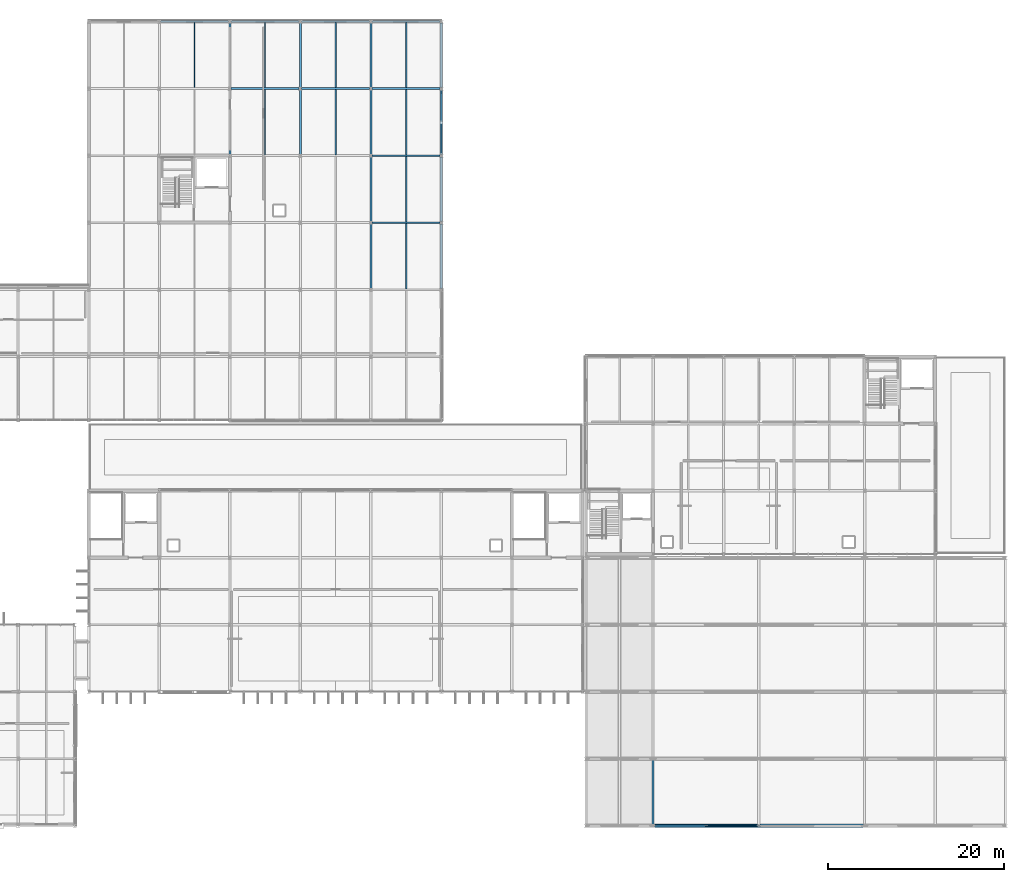
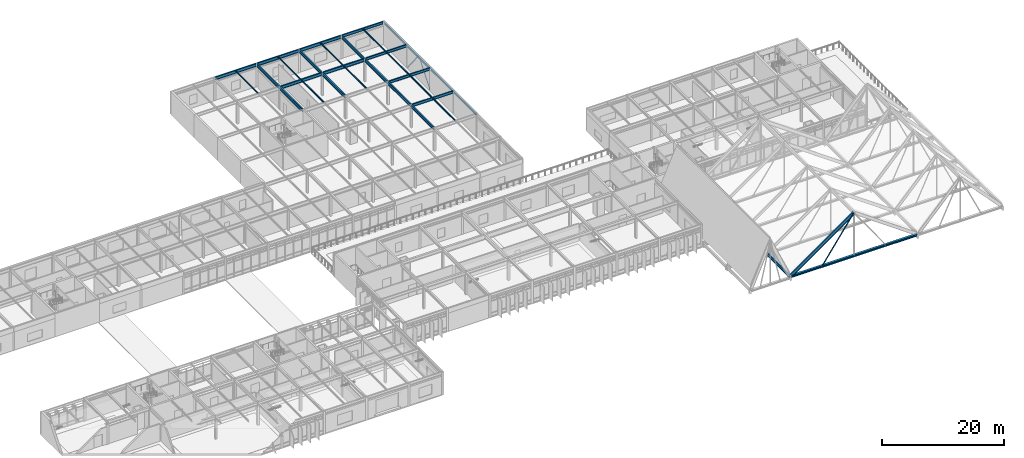
# One storey, part 51 of 100: 32 beams, 4 members.
"""IFC4 building model written with IfcOpenShell, lengths in metres."""

from ifc_helpers import new_model, si_unit, direction, frame, origin, origin_2d, place, context, subcontext, project, spatial, hollow_rectangle, hollow_circle, i_section, extrude, material, material_profile, profile_set, type_object, element, save


model = new_model("IFC4")

# Units and contexts
model_context = context("Model", 3, precision=1e-05, world=origin(), true_north=direction((0.0, 1.0)))
body_context = subcontext(model_context, "Body", "Model", "MODEL_VIEW")
ifc_project = project(units=[si_unit("LENGTHUNIT", "METRE"), si_unit("AREAUNIT", "SQUARE_METRE"), si_unit("VOLUMEUNIT", "CUBIC_METRE"), si_unit("PLANEANGLEUNIT", "RADIAN"), si_unit("MASSUNIT", "GRAM", prefix="KILO")], contexts=[model_context])

# Site, building, storey
site_placement = place(None, origin())
site = spatial("IfcSite", under=ifc_project, at=site_placement, CompositionType="ELEMENT")
building_placement = place(site_placement, origin())
building = spatial("IfcBuilding", under=site, at=building_placement, Name="Zulena Civic Courthouse", CompositionType="ELEMENT")
storey_placement = place(building_placement, frame((0.0, 0.0, 20.39990234375)))
storey = spatial("IfcBuildingStorey", under=building, at=storey_placement, Name="L04", CompositionType="ELEMENT", Elevation=20.39990234375)

# Members
ifc_material_1 = material(Name="Steel ASTM A500 Grade C", Category="steel")
ifc_material_profile_1 = material_profile(ifc_material_1, hollow_rectangle(XDim=0.10205078125, YDim=0.202880859375, WallThickness=0.0087890625, at=origin_2d()), Name="HSS8X4X3/8")
ifc_profile_set_1 = profile_set([ifc_material_profile_1], Name="Steel ASTM A500 Grade C")
member_type_1 = type_object("IfcMemberType", Name="Brace_HSS8X4", PredefinedType="BRACE", material=ifc_profile_set_1)
for number, where, z_axis, x_axis, name in (
    (1, (108.0, 76.14990234375, 0.010009765625), (0.0, 0.620488442429, 0.784215590774), (-1.0, 0.0, 0.0), "brace:V5:L04:6:0"),
    (2, (108.0, 83.449951171875, 0.010009765625), (0.0, -0.620462563433, 0.784236066104), (1.0, 0.0, 0.0), "brace:V5:L04:6:1"),
):
    element("IfcMember", number, at=place(storey_placement, frame(where, z_axis=z_axis, x_axis=x_axis)), inside=storey, type_object=member_type_1, Name=name, PredefinedType="BRACE", context=body_context, shape_type="SweptSolid", body=[
        extrude(hollow_rectangle(XDim=0.10205078125, YDim=0.202880859375, WallThickness=0.0087890625, at=origin_2d()), origin(), (0.0, 0.0, 1.0), 5.802001953125),
    ])
ifc_material_2 = material(Name="Steel ASTM A992 Grade 50", Category="steel")
ifc_material_profile_2 = material_profile(ifc_material_2, i_section(OverallWidth=0.40087890625, OverallDepth=0.39892578125, WebThickness=0.02490234375, FlangeThickness=0.03955078125, FilletRadius=0.01513671875, at=origin_2d()), Name="W14X211")
ifc_profile_set_2 = profile_set([ifc_material_profile_2], Name="Steel ASTM A992 Grade 50")
member_type_2 = type_object("IfcMemberType", Name="Chord_W14X211", PredefinedType="CHORD", material=ifc_profile_set_2)
member_1_placement = place(storey_placement, frame((132.139892578125, 0.0, 0.536376953125), z_axis=(1.0, 0.0, 0.0), x_axis=(0.0, 1.0, 0.0)))
element("IfcMember", 3, at=member_1_placement, inside=storey, type_object=member_type_2, Name="mem:fold:tie:06:0.0", PredefinedType="CHORD", context=body_context, shape_type="SweptSolid", body=[
    extrude(i_section(OverallWidth=0.40087890625, OverallDepth=0.39892578125, WebThickness=0.02490234375, FlangeThickness=0.03955078125, FilletRadius=0.01513671875, at=origin_2d()), origin(), (0.0, 0.0, 1.0), 23.72021484375),
])

# Beams
ifc_material_profile_3 = material_profile(ifc_material_2, i_section(OverallWidth=0.22802734375, OverallDepth=0.60693359375, WebThickness=0.01123046875, FlangeThickness=0.017333984375, FilletRadius=0.0126953125, at=origin_2d()), Name="W24X76")
ifc_profile_set_3 = profile_set([ifc_material_profile_3], Name="Steel ASTM A992 Grade 50")
beam_type_1 = type_object("IfcBeamType", Name="Girder_W24X76", PredefinedType="BEAM", material=ifc_profile_set_3)
beam_1_placement = place(storey_placement, frame((84.0, 76.14501953125, 4.29150390625), z_axis=(0.0, 1.0, 0.0), x_axis=(-1.0, 0.0, 0.0)))
element("IfcBeam", 4, at=beam_1_placement, inside=storey, type_object=beam_type_1, Name="beam:Y:V5:L04:84.0:76.0_83.6", PredefinedType="BEAM", context=body_context, shape_type="SweptSolid", body=[
    extrude(i_section(OverallWidth=0.22802734375, OverallDepth=0.60693359375, WebThickness=0.01123046875, FlangeThickness=0.017333984375, FilletRadius=0.0126953125, at=origin_2d()), origin(), (0.0, 0.0, 1.0), 7.31005859375),
])
beam_2_placement = place(storey_placement, frame((84.0, 83.7451171875, 4.29150390625), z_axis=(0.0, 1.0, 0.0), x_axis=(-1.0, 0.0, 0.0)))
element("IfcBeam", 5, at=beam_2_placement, inside=storey, type_object=beam_type_1, Name="beam:Y:V5:L04:84.0:83.6_91.2", PredefinedType="BEAM", context=body_context, shape_type="SweptSolid", body=[
    extrude(i_section(OverallWidth=0.22802734375, OverallDepth=0.60693359375, WebThickness=0.01123046875, FlangeThickness=0.017333984375, FilletRadius=0.0126953125, at=origin_2d()), origin(), (0.0, 0.0, 1.0), 7.309814453125),
])
beam_3_placement = place(storey_placement, frame((92.0, 76.14501953125, 4.29150390625), z_axis=(0.0, 1.0, 0.0), x_axis=(-1.0, 0.0, 0.0)))
element("IfcBeam", 6, at=beam_3_placement, inside=storey, type_object=beam_type_1, Name="beam:Y:V5:L04:92.0:76.0_83.6", PredefinedType="BEAM", context=body_context, shape_type="SweptSolid", body=[
    extrude(i_section(OverallWidth=0.22802734375, OverallDepth=0.60693359375, WebThickness=0.01123046875, FlangeThickness=0.017333984375, FilletRadius=0.0126953125, at=origin_2d()), origin(), (0.0, 0.0, 1.0), 7.31005859375),
])
for number, where, z_axis, x_axis, name in (
    (7, (92.0, 83.7451171875, 4.29150390625), (0.0, 1.0, 0.0), (-1.0, 0.0, 0.0), "beam:Y:V5:L04:92.0:83.6_91.2"),
    (8, (100.0, 60.945068359375, 4.29150390625), (0.0, 1.0, 0.0), (-1.0, 0.0, 0.0), "beam:Y:V5:L04:100.0:60.8_68.4"),
):
    element("IfcBeam", number, at=place(storey_placement, frame(where, z_axis=z_axis, x_axis=x_axis)), inside=storey, type_object=beam_type_1, Name=name, PredefinedType="BEAM", context=body_context, shape_type="SweptSolid", body=[
        extrude(i_section(OverallWidth=0.22802734375, OverallDepth=0.60693359375, WebThickness=0.01123046875, FlangeThickness=0.017333984375, FilletRadius=0.0126953125, at=origin_2d()), origin(), (0.0, 0.0, 1.0), 7.309814453125),
    ])
for number, where, z_axis, x_axis, name in (
    (9, (100.0, 68.544921875, 4.29150390625), (0.0, 1.0, 0.0), (-1.0, 0.0, 0.0), "beam:Y:V5:L04:100.0:68.4_76.0"),
    (10, (100.0, 76.14501953125, 4.29150390625), (0.0, 1.0, 0.0), (-1.0, 0.0, 0.0), "beam:Y:V5:L04:100.0:76.0_83.6"),
):
    element("IfcBeam", number, at=place(storey_placement, frame(where, z_axis=z_axis, x_axis=x_axis)), inside=storey, type_object=beam_type_1, Name=name, PredefinedType="BEAM", context=body_context, shape_type="SweptSolid", body=[
        extrude(i_section(OverallWidth=0.22802734375, OverallDepth=0.60693359375, WebThickness=0.01123046875, FlangeThickness=0.017333984375, FilletRadius=0.0126953125, at=origin_2d()), origin(), (0.0, 0.0, 1.0), 7.31005859375),
    ])
beam_4_placement = place(storey_placement, frame((100.0, 83.7451171875, 4.29150390625), z_axis=(0.0, 1.0, 0.0), x_axis=(-1.0, 0.0, 0.0)))
element("IfcBeam", 11, at=beam_4_placement, inside=storey, type_object=beam_type_1, Name="beam:Y:V5:L04:100.0:83.6_91.2", PredefinedType="BEAM", context=body_context, shape_type="SweptSolid", body=[
    extrude(i_section(OverallWidth=0.22802734375, OverallDepth=0.60693359375, WebThickness=0.01123046875, FlangeThickness=0.017333984375, FilletRadius=0.0126953125, at=origin_2d()), origin(), (0.0, 0.0, 1.0), 7.309814453125),
])
ifc_material_profile_4 = material_profile(ifc_material_2, i_section(OverallWidth=0.22998046875, OverallDepth=0.616943359375, WebThickness=0.01318359375, FlangeThickness=0.022216796875, FilletRadius=0.0126953125, at=origin_2d()), Name="W24X94")
ifc_profile_set_4 = profile_set([ifc_material_profile_4], Name="Steel ASTM A992 Grade 50")
beam_type_2 = type_object("IfcBeamType", Name="Girder_W24X94", PredefinedType="BEAM", material=ifc_profile_set_4)
for number, where, z_axis, x_axis, name in (
    (12, (84.14501953125, 83.60009765625, 4.28662109375), (1.0, 0.0, 0.0), (0.0, 1.0, 0.0), "beam:X:V5:L04:83.6:84.0_92.0"),
    (13, (92.14501953125, 83.60009765625, 4.28662109375), (1.0, 0.0, 0.0), (0.0, 1.0, 0.0), "beam:X:V5:L04:83.6:92.0_100.0"),
    (14, (76.14501953125, 91.199951171875, 4.28662109375), (1.0, 0.0, 0.0), (0.0, 1.0, 0.0), "beam:X:V5:L04:91.2:76.0_84.0"),
    (15, (84.14501953125, 91.199951171875, 4.28662109375), (1.0, 0.0, 0.0), (0.0, 1.0, 0.0), "beam:X:V5:L04:91.2:84.0_92.0"),
    (16, (92.14501953125, 91.199951171875, 4.28662109375), (1.0, 0.0, 0.0), (0.0, 1.0, 0.0), "beam:X:V5:L04:91.2:92.0_100.0"),
):
    element("IfcBeam", number, at=place(storey_placement, frame(where, z_axis=z_axis, x_axis=x_axis)), inside=storey, type_object=beam_type_2, Name=name, PredefinedType="BEAM", context=body_context, shape_type="SweptSolid", body=[
        extrude(i_section(OverallWidth=0.22998046875, OverallDepth=0.616943359375, WebThickness=0.01318359375, FlangeThickness=0.022216796875, FilletRadius=0.0126953125, at=origin_2d()), origin(), (0.0, 0.0, 1.0), 7.7099609375),
    ])
ifc_material_profile_5 = material_profile(ifc_material_2, i_section(OverallWidth=0.14599609375, OverallDepth=0.258056640625, WebThickness=0.006103515625, FlangeThickness=0.009033203125, FilletRadius=0.007568359375, at=origin_2d()), Name="W10X22")
ifc_profile_set_5 = profile_set([ifc_material_profile_5], Name="Steel ASTM A992 Grade 50")
beam_type_3 = type_object("IfcBeamType", Name="Joist_W10X22", PredefinedType="JOIST", material=ifc_profile_set_5)
beam_5_placement = place(storey_placement, frame((80.0, 83.705078125, 4.466064453125), z_axis=(0.0, 1.0, 0.0), x_axis=(-1.0, 0.0, 0.0)))
element("IfcBeam", 17, at=beam_5_placement, inside=storey, type_object=beam_type_3, Name="joist:V5:L04:80.00:83.6_91.2", PredefinedType="JOIST", context=body_context, shape_type="SweptSolid", body=[
    extrude(i_section(OverallWidth=0.14599609375, OverallDepth=0.258056640625, WebThickness=0.006103515625, FlangeThickness=0.009033203125, FilletRadius=0.007568359375, at=origin_2d()), origin(), (0.0, 0.0, 1.0), 7.389892578125),
])
beam_6_placement = place(storey_placement, frame((88.0, 76.10498046875, 4.466064453125), z_axis=(0.0, 1.0, 0.0), x_axis=(-1.0, 0.0, 0.0)))
element("IfcBeam", 18, at=beam_6_placement, inside=storey, type_object=beam_type_3, Name="joist:V5:L04:88.00:76.0_83.6", PredefinedType="JOIST", context=body_context, shape_type="SweptSolid", body=[
    extrude(i_section(OverallWidth=0.14599609375, OverallDepth=0.258056640625, WebThickness=0.006103515625, FlangeThickness=0.009033203125, FilletRadius=0.007568359375, at=origin_2d()), origin(), (0.0, 0.0, 1.0), 7.39013671875),
])
beam_7_placement = place(storey_placement, frame((88.0, 83.705078125, 4.466064453125), z_axis=(0.0, 1.0, 0.0), x_axis=(-1.0, 0.0, 0.0)))
element("IfcBeam", 19, at=beam_7_placement, inside=storey, type_object=beam_type_3, Name="joist:V5:L04:88.00:83.6_91.2", PredefinedType="JOIST", context=body_context, shape_type="SweptSolid", body=[
    extrude(i_section(OverallWidth=0.14599609375, OverallDepth=0.258056640625, WebThickness=0.006103515625, FlangeThickness=0.009033203125, FilletRadius=0.007568359375, at=origin_2d()), origin(), (0.0, 0.0, 1.0), 7.389892578125),
])
beam_8_placement = place(storey_placement, frame((96.0, 76.10498046875, 4.466064453125), z_axis=(0.0, 1.0, 0.0), x_axis=(-1.0, 0.0, 0.0)))
element("IfcBeam", 20, at=beam_8_placement, inside=storey, type_object=beam_type_3, Name="joist:V5:L04:96.00:76.0_83.6", PredefinedType="JOIST", context=body_context, shape_type="SweptSolid", body=[
    extrude(i_section(OverallWidth=0.14599609375, OverallDepth=0.258056640625, WebThickness=0.006103515625, FlangeThickness=0.009033203125, FilletRadius=0.007568359375, at=origin_2d()), origin(), (0.0, 0.0, 1.0), 7.39013671875),
])
for number, where, z_axis, x_axis, name in (
    (21, (96.0, 83.705078125, 4.466064453125), (0.0, 1.0, 0.0), (-1.0, 0.0, 0.0), "joist:V5:L04:96.00:83.6_91.2"),
    (22, (104.0, 60.905029296875, 4.466064453125), (0.0, 1.0, 0.0), (-1.0, 0.0, 0.0), "joist:V5:L04:104.00:60.8_68.4"),
):
    element("IfcBeam", number, at=place(storey_placement, frame(where, z_axis=z_axis, x_axis=x_axis)), inside=storey, type_object=beam_type_3, Name=name, PredefinedType="JOIST", context=body_context, shape_type="SweptSolid", body=[
        extrude(i_section(OverallWidth=0.14599609375, OverallDepth=0.258056640625, WebThickness=0.006103515625, FlangeThickness=0.009033203125, FilletRadius=0.007568359375, at=origin_2d()), origin(), (0.0, 0.0, 1.0), 7.389892578125),
    ])
for number, where, z_axis, x_axis, name in (
    (23, (104.0, 68.5048828125, 4.466064453125), (0.0, 1.0, 0.0), (-1.0, 0.0, 0.0), "joist:V5:L04:104.00:68.4_76.0"),
    (24, (104.0, 76.10498046875, 4.466064453125), (0.0, 1.0, 0.0), (-1.0, 0.0, 0.0), "joist:V5:L04:104.00:76.0_83.6"),
):
    element("IfcBeam", number, at=place(storey_placement, frame(where, z_axis=z_axis, x_axis=x_axis)), inside=storey, type_object=beam_type_3, Name=name, PredefinedType="JOIST", context=body_context, shape_type="SweptSolid", body=[
        extrude(i_section(OverallWidth=0.14599609375, OverallDepth=0.258056640625, WebThickness=0.006103515625, FlangeThickness=0.009033203125, FilletRadius=0.007568359375, at=origin_2d()), origin(), (0.0, 0.0, 1.0), 7.39013671875),
    ])
beam_9_placement = place(storey_placement, frame((104.0, 83.705078125, 4.466064453125), z_axis=(0.0, 1.0, 0.0), x_axis=(-1.0, 0.0, 0.0)))
element("IfcBeam", 25, at=beam_9_placement, inside=storey, type_object=beam_type_3, Name="joist:V5:L04:104.00:83.6_91.2", PredefinedType="JOIST", context=body_context, shape_type="SweptSolid", body=[
    extrude(i_section(OverallWidth=0.14599609375, OverallDepth=0.258056640625, WebThickness=0.006103515625, FlangeThickness=0.009033203125, FilletRadius=0.007568359375, at=origin_2d()), origin(), (0.0, 0.0, 1.0), 7.389892578125),
])
ifc_material_profile_6 = material_profile(ifc_material_2, i_section(OverallWidth=0.22802734375, OverallDepth=0.60693359375, WebThickness=0.01123046875, FlangeThickness=0.017333984375, FilletRadius=0.0126953125, at=origin_2d()), Name="W24X76")
ifc_profile_set_6 = profile_set([ifc_material_profile_6], Name="Steel ASTM A992 Grade 50")
beam_type_4 = type_object("IfcBeamType", Name="RoofRafter_W24X76", PredefinedType="BEAM", material=ifc_profile_set_6)
beam_10_placement = place(storey_placement, frame((132.0, 0.139892578125, 0.485595703125), z_axis=(0.0, 1.0, 0.0), x_axis=(-1.0, 0.0, 0.0)))
element("IfcBeam", 26, at=beam_10_placement, inside=storey, type_object=beam_type_4, Name="beam:fold:val:L04:132.0:0.0", PredefinedType="BEAM", context=body_context, shape_type="SweptSolid", body=[
    extrude(i_section(OverallWidth=0.22802734375, OverallDepth=0.60693359375, WebThickness=0.01123046875, FlangeThickness=0.017333984375, FilletRadius=0.0126953125, at=origin_2d()), origin(), (0.0, 0.0, 1.0), 7.320068359375),
])
beam_11_placement = place(storey_placement, frame((132.139892578125, 0.0, 0.696533203125), z_axis=(0.815826895682, 0.0, 0.578296183873), x_axis=(0.0, 1.0, 0.0)))
element("IfcBeam", 27, at=beam_11_placement, inside=storey, type_object=beam_type_4, Name="beam:fold:rafW:06:0.0", PredefinedType="BEAM", context=body_context, shape_type="SweptSolid", body=[
    extrude(i_section(OverallWidth=0.22802734375, OverallDepth=0.60693359375, WebThickness=0.01123046875, FlangeThickness=0.017333984375, FilletRadius=0.0126953125, at=origin_2d()), origin(), (0.0, 0.0, 1.0), 14.525146484375),
])

# Member
ifc_material_profile_7 = material_profile(ifc_material_1, hollow_circle(Radius=0.109619140625, WallThickness=0.0087890625, at=origin_2d()), Name="HSS8.625X0.375")
ifc_profile_set_7 = profile_set([ifc_material_profile_7], Name="Steel ASTM A500 Grade C")
member_type_3 = type_object("IfcMemberType", Name="RoofWeb_CHS8", PredefinedType="USERDEFINED", material=ifc_profile_set_7)
member_2_placement = place(storey_placement, frame((138.0, 0.0, 0.536376953125), z_axis=(0.573973222061, 0.0, 0.81887406868), x_axis=(0.0, 1.0, 0.0)))
element("IfcMember", 28, at=member_2_placement, inside=storey, type_object=member_type_3, Name="mem:fold:diagW:06:0.0", ObjectType="ROOF TRUSS", PredefinedType="USERDEFINED", context=body_context, shape_type="SweptSolid", body=[
    extrude(hollow_circle(Radius=0.109619140625, WallThickness=0.0087890625, at=origin_2d()), origin(), (0.0, 0.0, 1.0), 10.453369140625),
])

# Beams
ifc_material_profile_8 = material_profile(ifc_material_2, i_section(OverallWidth=0.280029296875, OverallDepth=0.462890625, WebThickness=0.0107421875, FlangeThickness=0.017333984375, FilletRadius=0.01025390625, at=origin_2d()), Name="W18X76")
ifc_profile_set_8 = profile_set([ifc_material_profile_8], Name="Steel ASTM A992 Grade 50")
beam_type_5 = type_object("IfcBeamType", Name="Spandrel_W18X76", PredefinedType="SPANDREL", material=ifc_profile_set_8)
beam_12_placement = place(storey_placement, frame((108.0, 60.945068359375, 4.363525390625), z_axis=(0.0, 1.0, 0.0), x_axis=(-1.0, 0.0, 0.0)))
element("IfcBeam", 29, at=beam_12_placement, inside=storey, type_object=beam_type_5, Name="beam:Y:V5:L04:108.0:60.8_68.4", PredefinedType="SPANDREL", context=body_context, shape_type="SweptSolid", body=[
    extrude(i_section(OverallWidth=0.280029296875, OverallDepth=0.462890625, WebThickness=0.0107421875, FlangeThickness=0.017333984375, FilletRadius=0.01025390625, at=origin_2d()), origin(), (0.0, 0.0, 1.0), 7.309814453125),
])
for number, where, z_axis, x_axis, name in (
    (30, (108.0, 68.544921875, 4.363525390625), (0.0, 1.0, 0.0), (-1.0, 0.0, 0.0), "beam:Y:V5:L04:108.0:68.4_76.0"),
    (31, (108.0, 76.14501953125, 4.363525390625), (0.0, 1.0, 0.0), (-1.0, 0.0, 0.0), "beam:Y:V5:L04:108.0:76.0_83.6"),
):
    element("IfcBeam", number, at=place(storey_placement, frame(where, z_axis=z_axis, x_axis=x_axis)), inside=storey, type_object=beam_type_5, Name=name, PredefinedType="SPANDREL", context=body_context, shape_type="SweptSolid", body=[
        extrude(i_section(OverallWidth=0.280029296875, OverallDepth=0.462890625, WebThickness=0.0107421875, FlangeThickness=0.017333984375, FilletRadius=0.01025390625, at=origin_2d()), origin(), (0.0, 0.0, 1.0), 7.31005859375),
    ])
beam_13_placement = place(storey_placement, frame((108.0, 83.7451171875, 4.363525390625), z_axis=(0.0, 1.0, 0.0), x_axis=(-1.0, 0.0, 0.0)))
element("IfcBeam", 32, at=beam_13_placement, inside=storey, type_object=beam_type_5, Name="beam:Y:V5:L04:108.0:83.6_91.2", PredefinedType="SPANDREL", context=body_context, shape_type="SweptSolid", body=[
    extrude(i_section(OverallWidth=0.280029296875, OverallDepth=0.462890625, WebThickness=0.0107421875, FlangeThickness=0.017333984375, FilletRadius=0.01025390625, at=origin_2d()), origin(), (0.0, 0.0, 1.0), 7.309814453125),
])
ifc_material_profile_9 = material_profile(ifc_material_2, i_section(OverallWidth=0.2099609375, OverallDepth=0.537109375, WebThickness=0.010986328125, FlangeThickness=0.017333984375, FilletRadius=0.0126953125, at=origin_2d()), Name="W21X68")
ifc_profile_set_9 = profile_set([ifc_material_profile_9], Name="Steel ASTM A992 Grade 50")
beam_type_6 = type_object("IfcBeamType", Name="Spandrel_W21X68", PredefinedType="SPANDREL", material=ifc_profile_set_9)
for number, where, z_axis, x_axis, name in (
    (33, (100.14501953125, 68.39990234375, 4.32666015625), (1.0, 0.0, 0.0), (0.0, 1.0, 0.0), "beam:X:V5:L04:68.4:100.0_108.0"),
    (34, (100.14501953125, 76.0, 4.32666015625), (1.0, 0.0, 0.0), (0.0, 1.0, 0.0), "beam:X:V5:L04:76.0:100.0_108.0"),
    (35, (100.14501953125, 83.60009765625, 4.32666015625), (1.0, 0.0, 0.0), (0.0, 1.0, 0.0), "beam:X:V5:L04:83.6:100.0_108.0"),
    (36, (100.14501953125, 91.199951171875, 4.32666015625), (1.0, 0.0, 0.0), (0.0, 1.0, 0.0), "beam:X:V5:L04:91.2:100.0_108.0"),
):
    element("IfcBeam", number, at=place(storey_placement, frame(where, z_axis=z_axis, x_axis=x_axis)), inside=storey, type_object=beam_type_6, Name=name, PredefinedType="SPANDREL", context=body_context, shape_type="SweptSolid", body=[
        extrude(i_section(OverallWidth=0.2099609375, OverallDepth=0.537109375, WebThickness=0.010986328125, FlangeThickness=0.017333984375, FilletRadius=0.0126953125, at=origin_2d()), origin(), (0.0, 0.0, 1.0), 7.7099609375),
    ])

save(model, "model.ifc")
